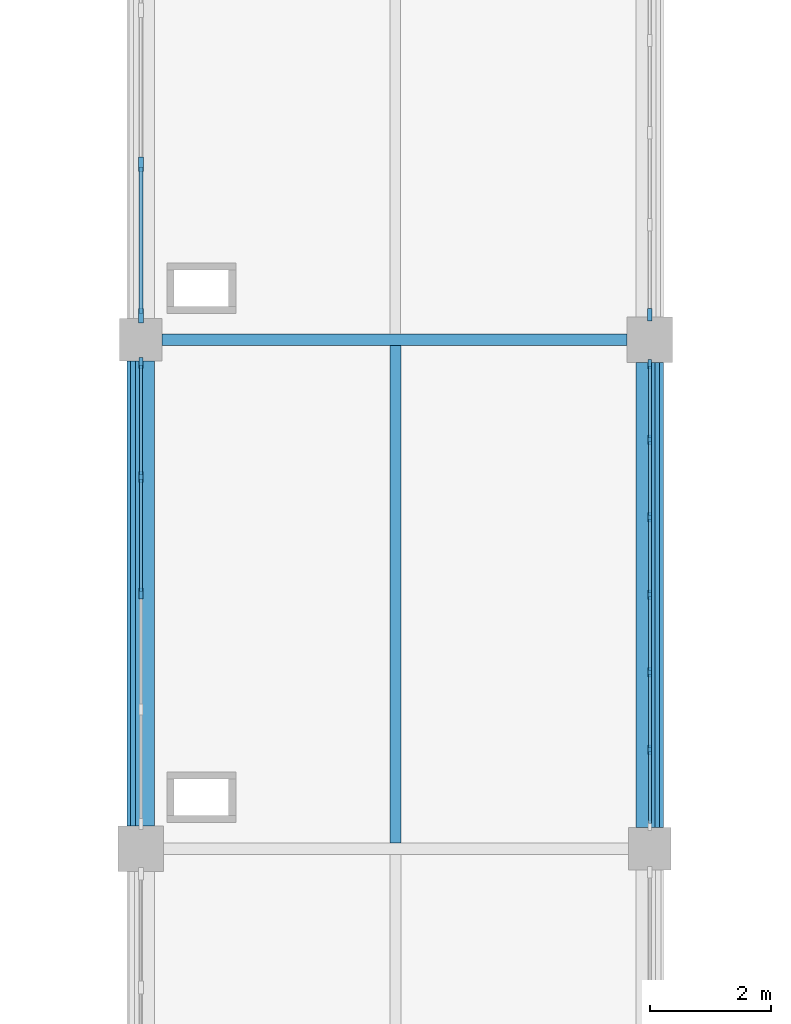
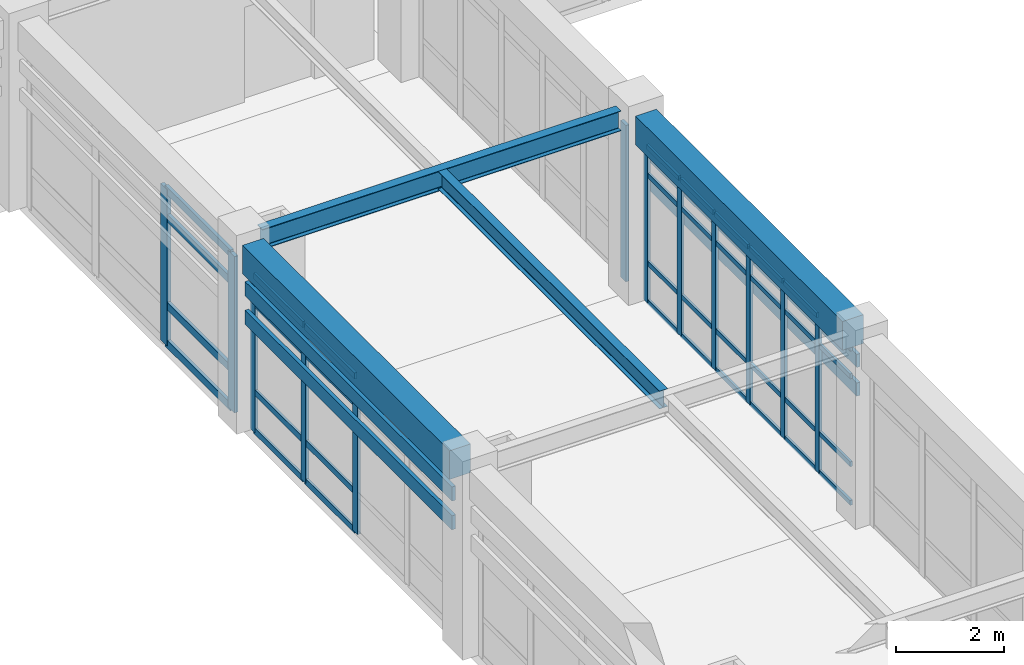
# One storey, part 13 of 78: 52 members, 4 beams, 4 elements without a shape of their own.
"""IFC4 building model written with IfcOpenShell, lengths in metres."""

from ifc_helpers import new_model, si_unit, direction, frame, origin, origin_2d, place, context, subcontext, project, spatial, rectangle, i_section, extrude, material, layer, layer_set, material_profile, profile_set, type_object, element, aggregate, save


model = new_model("IFC4")

# Units and contexts
model_context = context("Model", 3, precision=1e-05, world=origin(), true_north=direction((0.0, 1.0)))
body_context = subcontext(model_context, "Body", "Model", "MODEL_VIEW")
ifc_project = project(units=[si_unit("LENGTHUNIT", "METRE"), si_unit("AREAUNIT", "SQUARE_METRE"), si_unit("VOLUMEUNIT", "CUBIC_METRE"), si_unit("PLANEANGLEUNIT", "RADIAN"), si_unit("MASSUNIT", "GRAM", prefix="KILO")], contexts=[model_context])

# Site, building, storey
site_placement = place(None, origin())
site = spatial("IfcSite", under=ifc_project, at=site_placement, CompositionType="ELEMENT")
building_placement = place(site_placement, origin())
building = spatial("IfcBuilding", under=site, at=building_placement, Name="Porcellanite Civic Hall", CompositionType="ELEMENT")
storey_placement = place(building_placement, frame((0.0, 0.0, 10.260009765625)))
storey = spatial("IfcBuildingStorey", under=building, at=storey_placement, Name="L02", CompositionType="ELEMENT", Elevation=10.260009765625)

# Beams
ifc_material_1 = material(Name="Concrete N50 (50 MPa)", Category="concrete")
ifc_material_profile_1 = material_profile(ifc_material_1, rectangle(XDim=0.449951171875, YDim=0.64990234375, at=origin_2d()), Name="RC-450x650")
ifc_profile_set_1 = profile_set([ifc_material_profile_1], Name="Concrete N50 (50 MPa)")
beam_type_1 = type_object("IfcBeamType", Name="BM-RC650", PredefinedType="SPANDREL", material=ifc_profile_set_1)
beam_1_placement = place(storey_placement, frame((50.39990234375, 84.37451171875, 3.9150390625), z_axis=(0.0, 1.0, 0.0), x_axis=(-1.0, 0.0, 0.0)))
element("IfcBeam", 1, at=beam_1_placement, inside=storey, type_object=beam_type_1, Name="Beam Y L02 7-11", PredefinedType="SPANDREL", context=body_context, shape_type="SweptSolid", body=[
    extrude(rectangle(XDim=0.449951171875, YDim=0.64990234375, at=origin_2d()), origin(), (0.0, 0.0, 1.0), 7.676025390625),
])
beam_2_placement = place(storey_placement, frame((58.800048828125, 84.349609375, 3.9150390625), z_axis=(0.0, 1.0, 0.0), x_axis=(-1.0, 0.0, 0.0)))
element("IfcBeam", 2, at=beam_2_placement, inside=storey, type_object=beam_type_1, Name="Beam Y L02 8-11", PredefinedType="SPANDREL", context=body_context, shape_type="SweptSolid", body=[
    extrude(rectangle(XDim=0.449951171875, YDim=0.64990234375, at=origin_2d()), origin(), (0.0, 0.0, 1.0), 7.67578125),
])

# Curtain wall, members
ifc_material_2 = material(Name="Anodised aluminium and solar laminated glass", Category="aluminium")
ifc_layer_1 = layer(ifc_material_2, 0.179931640625)
ifc_layer_set_1 = layer_set([ifc_layer_1], Name="Anodised aluminium and solar laminated glass")
curtain_wall_type_1 = type_object("IfcCurtainWallType", Name="CW-SYS08", PredefinedType="NOTDEFINED", material=ifc_layer_set_1)
curtain_wall_1_placement = place(storey_placement, origin())
curtain_wall_1 = element("IfcCurtainWall", 3, at=curtain_wall_1_placement, inside=storey, type_object=curtain_wall_type_1, Name="Curtain wall CW-148", PredefinedType="NOTDEFINED")
ifc_material_3 = material(Name="Anodised aluminium 6063-T6", Category="aluminium")
ifc_material_profile_2 = material_profile(ifc_material_3, rectangle(XDim=0.080078125, YDim=0.239990234375, at=origin_2d()), Name="AL-80x240")
ifc_profile_set_2 = profile_set([ifc_material_profile_2], Name="Anodised aluminium 6063-T6")
member_type_1 = type_object("IfcMemberType", Name="CWM-01", PredefinedType="MULLION", material=ifc_profile_set_2)
member_1_placement = place(storey_placement, frame((50.39990234375, 92.791015625, 0.0), z_axis=(0.0, 0.0, 1.0), x_axis=(-1.0, 0.0, 0.0)))
member_1 = element("IfcMember", 4, at=member_1_placement, type_object=member_type_1, Name="CW-148 mullion 1", PredefinedType="MULLION", context=body_context, shape_type="SweptSolid", body=[
    extrude(rectangle(XDim=0.080078125, YDim=0.239990234375, at=origin_2d()), origin(), (0.0, 0.0, 1.0), 3.5400390625),
])
member_2_placement = place(storey_placement, frame((50.39990234375, 95.2919921875, 0.0), z_axis=(0.0, 0.0, 1.0), x_axis=(-1.0, 0.0, 0.0)))
member_2 = element("IfcMember", 5, at=member_2_placement, type_object=member_type_1, Name="CW-148 mullion 2", PredefinedType="MULLION", context=body_context, shape_type="SweptSolid", body=[
    extrude(rectangle(XDim=0.080078125, YDim=0.239990234375, at=origin_2d()), origin(), (0.0, 0.0, 1.0), 3.5400390625),
])

# Curtain wall, member
ifc_material_4 = material(Name="Anodised aluminium and solar laminated glass", Category="aluminium")
ifc_layer_2 = layer(ifc_material_4, 0.179931640625)
ifc_layer_set_2 = layer_set([ifc_layer_2], Name="Anodised aluminium and solar laminated glass")
curtain_wall_type_2 = type_object("IfcCurtainWallType", Name="CW-SYS01", PredefinedType="NOTDEFINED", material=ifc_layer_set_2)
curtain_wall_2_placement = place(storey_placement, origin())
curtain_wall_2 = element("IfcCurtainWall", 6, at=curtain_wall_2_placement, inside=storey, type_object=curtain_wall_type_2, Name="Curtain wall CW-149", PredefinedType="NOTDEFINED")
ifc_material_5 = material(Name="Anodised aluminium 6063-T6", Category="aluminium")
ifc_material_profile_3 = material_profile(ifc_material_5, rectangle(XDim=0.070068359375, YDim=0.199951171875, at=origin_2d()), Name="AL-70x200")
ifc_profile_set_3 = profile_set([ifc_material_profile_3], Name="Anodised aluminium 6063-T6")
member_type_2 = type_object("IfcMemberType", Name="CWM-05", PredefinedType="MULLION", material=ifc_profile_set_3)
member_3_placement = place(storey_placement, frame((58.800048828125, 92.81103515625, 0.0), z_axis=(0.0, 0.0, 1.0), x_axis=(1.0, 0.0, 0.0)))
member_3 = element("IfcMember", 7, at=member_3_placement, type_object=member_type_2, Name="CW-149 mullion 6", PredefinedType="MULLION", context=body_context, shape_type="SweptSolid", body=[
    extrude(rectangle(XDim=0.070068359375, YDim=0.199951171875, at=origin_2d()), origin(), (0.0, 0.0, 1.0), 3.5400390625),
])
aggregate(curtain_wall_2, [member_3])

# Curtain wall, members
ifc_material_6 = material(Name="Anodised aluminium and solar laminated glass", Category="aluminium")
ifc_layer_3 = layer(ifc_material_6, 0.179931640625)
ifc_layer_set_3 = layer_set([ifc_layer_3], Name="Anodised aluminium and solar laminated glass")
curtain_wall_type_3 = type_object("IfcCurtainWallType", Name="CW-SYS06", PredefinedType="NOTDEFINED", material=ifc_layer_set_3)
curtain_wall_3_placement = place(storey_placement, origin())
curtain_wall_3 = element("IfcCurtainWall", 8, at=curtain_wall_3_placement, inside=storey, type_object=curtain_wall_type_3, Name="Curtain wall CW-146", PredefinedType="NOTDEFINED")
ifc_material_7 = material(Name="Anodised aluminium 6063-T6", Category="aluminium")
ifc_material_profile_4 = material_profile(ifc_material_7, rectangle(XDim=0.06494140625, YDim=0.179931640625, at=origin_2d()), Name="AL-65x180")
ifc_profile_set_4 = profile_set([ifc_material_profile_4], Name="Anodised aluminium 6063-T6")
member_type_3 = type_object("IfcMemberType", Name="CWM-06", PredefinedType="MULLION", material=ifc_profile_set_4)
member_4_placement = place(storey_placement, frame((50.39990234375, 88.21240234375, 0.0), z_axis=(0.0, 0.0, 1.0), x_axis=(-1.0, 0.0, 0.0)))
member_4 = element("IfcMember", 9, at=member_4_placement, type_object=member_type_3, Name="CW-146 mullion 3", PredefinedType="MULLION", context=body_context, shape_type="SweptSolid", body=[
    extrude(rectangle(XDim=0.06494140625, YDim=0.179931640625, at=origin_2d()), origin(), (0.0, 0.0, 1.0), 3.5400390625),
])
member_5_placement = place(storey_placement, frame((50.39990234375, 90.130859375, 0.0), z_axis=(0.0, 0.0, 1.0), x_axis=(-1.0, 0.0, 0.0)))
member_5 = element("IfcMember", 10, at=member_5_placement, type_object=member_type_3, Name="CW-146 mullion 4", PredefinedType="MULLION", context=body_context, shape_type="SweptSolid", body=[
    extrude(rectangle(XDim=0.06494140625, YDim=0.179931640625, at=origin_2d()), origin(), (0.0, 0.0, 1.0), 3.5400390625),
])
member_6_placement = place(storey_placement, frame((50.39990234375, 92.0166015625, 0.0), z_axis=(0.0, 0.0, 1.0), x_axis=(-1.0, 0.0, 0.0)))
member_6 = element("IfcMember", 11, at=member_6_placement, type_object=member_type_3, Name="CW-146 mullion 5", PredefinedType="MULLION", context=body_context, shape_type="SweptSolid", body=[
    extrude(rectangle(XDim=0.06494140625, YDim=0.179931640625, at=origin_2d()), origin(), (0.0, 0.0, 1.0), 3.5400390625),
])

ifc_material_8 = material(Name="Anodised aluminium and solar laminated glass", Category="aluminium")
ifc_layer_4 = layer(ifc_material_8, 0.179931640625)
ifc_layer_set_4 = layer_set([ifc_layer_4], Name="Anodised aluminium and solar laminated glass")
curtain_wall_type_4 = type_object("IfcCurtainWallType", Name="CW-SYS07", PredefinedType="NOTDEFINED", material=ifc_layer_set_4)
curtain_wall_4_placement = place(storey_placement, origin())
curtain_wall_4 = element("IfcCurtainWall", 12, at=curtain_wall_4_placement, inside=storey, type_object=curtain_wall_type_4, Name="Curtain wall CW-147", PredefinedType="NOTDEFINED")
ifc_material_9 = material(Name="Anodised aluminium 6063-T6", Category="aluminium")
ifc_material_profile_5 = material_profile(ifc_material_9, rectangle(XDim=0.06005859375, YDim=0.159912109375, at=origin_2d()), Name="AL-60x160")
ifc_profile_set_5 = profile_set([ifc_material_profile_5], Name="Anodised aluminium 6063-T6")
member_type_4 = type_object("IfcMemberType", Name="CWM-07", PredefinedType="MULLION", material=ifc_profile_set_5)
member_7_placement = place(storey_placement, frame((58.800048828125, 91.993896484375, 0.0), z_axis=(0.0, 0.0, 1.0), x_axis=(1.0, 0.0, 0.0)))
member_7 = element("IfcMember", 13, at=member_7_placement, type_object=member_type_4, Name="CW-147 mullion 1", PredefinedType="MULLION", context=body_context, shape_type="SweptSolid", body=[
    extrude(rectangle(XDim=0.06005859375, YDim=0.159912109375, at=origin_2d()), origin(), (0.0, 0.0, 1.0), 3.5400390625),
])
member_8_placement = place(storey_placement, frame((58.800048828125, 90.7451171875, 0.0), z_axis=(0.0, 0.0, 1.0), x_axis=(1.0, 0.0, 0.0)))
member_8 = element("IfcMember", 14, at=member_8_placement, type_object=member_type_4, Name="CW-147 mullion 2", PredefinedType="MULLION", context=body_context, shape_type="SweptSolid", body=[
    extrude(rectangle(XDim=0.06005859375, YDim=0.159912109375, at=origin_2d()), origin(), (0.0, 0.0, 1.0), 3.5400390625),
])
member_9_placement = place(storey_placement, frame((58.800048828125, 89.46630859375, 0.0), z_axis=(0.0, 0.0, 1.0), x_axis=(1.0, 0.0, 0.0)))
member_9 = element("IfcMember", 15, at=member_9_placement, type_object=member_type_4, Name="CW-147 mullion 3", PredefinedType="MULLION", context=body_context, shape_type="SweptSolid", body=[
    extrude(rectangle(XDim=0.06005859375, YDim=0.159912109375, at=origin_2d()), origin(), (0.0, 0.0, 1.0), 3.5400390625),
])
member_10_placement = place(storey_placement, frame((58.800048828125, 88.1875, 0.0), z_axis=(0.0, 0.0, 1.0), x_axis=(1.0, 0.0, 0.0)))
member_10 = element("IfcMember", 16, at=member_10_placement, type_object=member_type_4, Name="CW-147 mullion 4", PredefinedType="MULLION", context=body_context, shape_type="SweptSolid", body=[
    extrude(rectangle(XDim=0.06005859375, YDim=0.159912109375, at=origin_2d()), origin(), (0.0, 0.0, 1.0), 3.5400390625),
])
member_11_placement = place(storey_placement, frame((58.800048828125, 86.90869140625, 0.0), z_axis=(0.0, 0.0, 1.0), x_axis=(1.0, 0.0, 0.0)))
member_11 = element("IfcMember", 17, at=member_11_placement, type_object=member_type_4, Name="CW-147 mullion 5", PredefinedType="MULLION", context=body_context, shape_type="SweptSolid", body=[
    extrude(rectangle(XDim=0.06005859375, YDim=0.159912109375, at=origin_2d()), origin(), (0.0, 0.0, 1.0), 3.5400390625),
])
member_12_placement = place(storey_placement, frame((58.800048828125, 85.6298828125, 0.0), z_axis=(0.0, 0.0, 1.0), x_axis=(1.0, 0.0, 0.0)))
member_12 = element("IfcMember", 18, at=member_12_placement, type_object=member_type_4, Name="CW-147 mullion 6", PredefinedType="MULLION", context=body_context, shape_type="SweptSolid", body=[
    extrude(rectangle(XDim=0.06005859375, YDim=0.159912109375, at=origin_2d()), origin(), (0.0, 0.0, 1.0), 3.5400390625),
])

# Member
ifc_material_10 = material(Name="Anodised aluminium 6063-T6", Category="aluminium")
ifc_material_profile_6 = material_profile(ifc_material_10, rectangle(XDim=0.070068359375, YDim=0.175048828125, at=origin_2d()), Name="AL-70x175")
ifc_profile_set_6 = profile_set([ifc_material_profile_6], Name="Anodised aluminium 6063-T6")
member_type_5 = type_object("IfcMemberType", Name="CWT-01", PredefinedType="USERDEFINED", material=ifc_profile_set_6)
member_13_placement = place(storey_placement, frame((50.39990234375, 92.8310546875, 0.034912109375), z_axis=(0.0, 1.0, 0.0), x_axis=(-1.0, 0.0, 0.0)))
member_13 = element("IfcMember", 19, at=member_13_placement, type_object=member_type_5, Name="CW-148 transom 1.1", ObjectType="TRANSOM", PredefinedType="USERDEFINED", context=body_context, shape_type="SweptSolid", body=[
    extrude(rectangle(XDim=0.070068359375, YDim=0.175048828125, at=origin_2d()), origin(), (0.0, 0.0, 1.0), 2.4208984375),
])

member_14_placement = place(storey_placement, frame((50.39990234375, 92.8310546875, 0.89990234375), z_axis=(0.0, 1.0, 0.0), x_axis=(-1.0, 0.0, 0.0)))
member_14 = element("IfcMember", 20, at=member_14_placement, type_object=member_type_5, Name="CW-148 transom 1.2", ObjectType="TRANSOM", PredefinedType="USERDEFINED", context=body_context, shape_type="SweptSolid", body=[
    extrude(rectangle(XDim=0.070068359375, YDim=0.175048828125, at=origin_2d()), origin(), (0.0, 0.0, 1.0), 2.4208984375),
])

member_15_placement = place(storey_placement, frame((50.39990234375, 92.8310546875, 2.889892578125), z_axis=(0.0, 1.0, 0.0), x_axis=(-1.0, 0.0, 0.0)))
member_15 = element("IfcMember", 21, at=member_15_placement, type_object=member_type_5, Name="CW-148 transom 1.3", ObjectType="TRANSOM", PredefinedType="USERDEFINED", context=body_context, shape_type="SweptSolid", body=[
    extrude(rectangle(XDim=0.070068359375, YDim=0.175048828125, at=origin_2d()), origin(), (0.0, 0.0, 1.0), 2.4208984375),
])

member_16_placement = place(storey_placement, frame((50.39990234375, 92.8310546875, 3.5048828125), z_axis=(0.0, 1.0, 0.0), x_axis=(-1.0, 0.0, 0.0)))
member_16 = element("IfcMember", 22, at=member_16_placement, type_object=member_type_5, Name="CW-148 transom 1.4", ObjectType="TRANSOM", PredefinedType="USERDEFINED", context=body_context, shape_type="SweptSolid", body=[
    extrude(rectangle(XDim=0.070068359375, YDim=0.175048828125, at=origin_2d()), origin(), (0.0, 0.0, 1.0), 2.4208984375),
])

aggregate(curtain_wall_1, [member_1, member_2, member_13, member_14, member_15, member_16])

ifc_material_11 = material(Name="Anodised aluminium 6063-T6", Category="aluminium")
ifc_material_profile_7 = material_profile(ifc_material_11, rectangle(XDim=0.050048828125, YDim=0.139892578125, at=origin_2d()), Name="AL-50x140")
ifc_profile_set_7 = profile_set([ifc_material_profile_7], Name="Anodised aluminium 6063-T6")
member_type_6 = type_object("IfcMemberType", Name="CWT-06", PredefinedType="USERDEFINED", material=ifc_profile_set_7)
member_17_placement = place(storey_placement, frame((50.39990234375, 88.2451171875, 0.02490234375), z_axis=(0.0, 1.0, 0.0), x_axis=(-1.0, 0.0, 0.0)))
member_17 = element("IfcMember", 23, at=member_17_placement, type_object=member_type_6, Name="CW-146 transom 3.1", ObjectType="TRANSOM", PredefinedType="USERDEFINED", context=body_context, shape_type="SweptSolid", body=[
    extrude(rectangle(XDim=0.050048828125, YDim=0.139892578125, at=origin_2d()), origin(), (0.0, 0.0, 1.0), 1.85302734375),
])

member_18_placement = place(storey_placement, frame((50.39990234375, 88.2451171875, 0.89990234375), z_axis=(0.0, 1.0, 0.0), x_axis=(-1.0, 0.0, 0.0)))
member_18 = element("IfcMember", 24, at=member_18_placement, type_object=member_type_6, Name="CW-146 transom 3.2", ObjectType="TRANSOM", PredefinedType="USERDEFINED", context=body_context, shape_type="SweptSolid", body=[
    extrude(rectangle(XDim=0.050048828125, YDim=0.139892578125, at=origin_2d()), origin(), (0.0, 0.0, 1.0), 1.85302734375),
])

member_19_placement = place(storey_placement, frame((50.39990234375, 88.2451171875, 2.889892578125), z_axis=(0.0, 1.0, 0.0), x_axis=(-1.0, 0.0, 0.0)))
member_19 = element("IfcMember", 25, at=member_19_placement, type_object=member_type_6, Name="CW-146 transom 3.3", ObjectType="TRANSOM", PredefinedType="USERDEFINED", context=body_context, shape_type="SweptSolid", body=[
    extrude(rectangle(XDim=0.050048828125, YDim=0.139892578125, at=origin_2d()), origin(), (0.0, 0.0, 1.0), 1.85302734375),
])

member_20_placement = place(storey_placement, frame((50.39990234375, 88.2451171875, 3.514892578125), z_axis=(0.0, 1.0, 0.0), x_axis=(-1.0, 0.0, 0.0)))
member_20 = element("IfcMember", 26, at=member_20_placement, type_object=member_type_6, Name="CW-146 transom 3.4", ObjectType="TRANSOM", PredefinedType="USERDEFINED", context=body_context, shape_type="SweptSolid", body=[
    extrude(rectangle(XDim=0.050048828125, YDim=0.139892578125, at=origin_2d()), origin(), (0.0, 0.0, 1.0), 1.85302734375),
])

member_21_placement = place(storey_placement, frame((50.39990234375, 90.163330078125, 0.02490234375), z_axis=(0.0, 1.0, 0.0), x_axis=(-1.0, 0.0, 0.0)))
member_21 = element("IfcMember", 27, at=member_21_placement, type_object=member_type_6, Name="CW-146 transom 4.1", ObjectType="TRANSOM", PredefinedType="USERDEFINED", context=body_context, shape_type="SweptSolid", body=[
    extrude(rectangle(XDim=0.050048828125, YDim=0.139892578125, at=origin_2d()), origin(), (0.0, 0.0, 1.0), 1.820556640625),
])

member_22_placement = place(storey_placement, frame((50.39990234375, 90.163330078125, 0.89990234375), z_axis=(0.0, 1.0, 0.0), x_axis=(-1.0, 0.0, 0.0)))
member_22 = element("IfcMember", 28, at=member_22_placement, type_object=member_type_6, Name="CW-146 transom 4.2", ObjectType="TRANSOM", PredefinedType="USERDEFINED", context=body_context, shape_type="SweptSolid", body=[
    extrude(rectangle(XDim=0.050048828125, YDim=0.139892578125, at=origin_2d()), origin(), (0.0, 0.0, 1.0), 1.820556640625),
])

member_23_placement = place(storey_placement, frame((50.39990234375, 90.163330078125, 2.889892578125), z_axis=(0.0, 1.0, 0.0), x_axis=(-1.0, 0.0, 0.0)))
member_23 = element("IfcMember", 29, at=member_23_placement, type_object=member_type_6, Name="CW-146 transom 4.3", ObjectType="TRANSOM", PredefinedType="USERDEFINED", context=body_context, shape_type="SweptSolid", body=[
    extrude(rectangle(XDim=0.050048828125, YDim=0.139892578125, at=origin_2d()), origin(), (0.0, 0.0, 1.0), 1.820556640625),
])

member_24_placement = place(storey_placement, frame((50.39990234375, 90.163330078125, 3.514892578125), z_axis=(0.0, 1.0, 0.0), x_axis=(-1.0, 0.0, 0.0)))
member_24 = element("IfcMember", 30, at=member_24_placement, type_object=member_type_6, Name="CW-146 transom 4.4", ObjectType="TRANSOM", PredefinedType="USERDEFINED", context=body_context, shape_type="SweptSolid", body=[
    extrude(rectangle(XDim=0.050048828125, YDim=0.139892578125, at=origin_2d()), origin(), (0.0, 0.0, 1.0), 1.820556640625),
])

aggregate(curtain_wall_3, [member_4, member_5, member_6, member_17, member_18, member_19, member_20, member_21, member_22, member_23, member_24])

ifc_material_12 = material(Name="Anodised aluminium 6063-T6", Category="aluminium")
ifc_material_profile_8 = material_profile(ifc_material_12, rectangle(XDim=0.050048828125, YDim=0.110107421875, at=origin_2d()), Name="AL-50x110")
ifc_profile_set_8 = profile_set([ifc_material_profile_8], Name="Anodised aluminium 6063-T6")
member_type_7 = type_object("IfcMemberType", Name="CWT-07", PredefinedType="USERDEFINED", material=ifc_profile_set_8)
member_25_placement = place(storey_placement, frame((58.800048828125, 91.964111328125, 0.02490234375), z_axis=(0.0, -1.0, 0.0), x_axis=(1.0, 0.0, 0.0)))
member_25 = element("IfcMember", 31, at=member_25_placement, type_object=member_type_7, Name="CW-147 transom 1.1", ObjectType="TRANSOM", PredefinedType="USERDEFINED", context=body_context, shape_type="SweptSolid", body=[
    extrude(rectangle(XDim=0.050048828125, YDim=0.110107421875, at=origin_2d()), origin(), (0.0, 0.0, 1.0), 1.18896484375),
])

member_26_placement = place(storey_placement, frame((58.800048828125, 91.964111328125, 0.89990234375), z_axis=(0.0, -1.0, 0.0), x_axis=(1.0, 0.0, 0.0)))
member_26 = element("IfcMember", 32, at=member_26_placement, type_object=member_type_7, Name="CW-147 transom 1.2", ObjectType="TRANSOM", PredefinedType="USERDEFINED", context=body_context, shape_type="SweptSolid", body=[
    extrude(rectangle(XDim=0.050048828125, YDim=0.110107421875, at=origin_2d()), origin(), (0.0, 0.0, 1.0), 1.18896484375),
])

member_27_placement = place(storey_placement, frame((58.800048828125, 91.964111328125, 2.889892578125), z_axis=(0.0, -1.0, 0.0), x_axis=(1.0, 0.0, 0.0)))
member_27 = element("IfcMember", 33, at=member_27_placement, type_object=member_type_7, Name="CW-147 transom 1.3", ObjectType="TRANSOM", PredefinedType="USERDEFINED", context=body_context, shape_type="SweptSolid", body=[
    extrude(rectangle(XDim=0.050048828125, YDim=0.110107421875, at=origin_2d()), origin(), (0.0, 0.0, 1.0), 1.18896484375),
])

member_28_placement = place(storey_placement, frame((58.800048828125, 91.964111328125, 3.514892578125), z_axis=(0.0, -1.0, 0.0), x_axis=(1.0, 0.0, 0.0)))
member_28 = element("IfcMember", 34, at=member_28_placement, type_object=member_type_7, Name="CW-147 transom 1.4", ObjectType="TRANSOM", PredefinedType="USERDEFINED", context=body_context, shape_type="SweptSolid", body=[
    extrude(rectangle(XDim=0.050048828125, YDim=0.110107421875, at=origin_2d()), origin(), (0.0, 0.0, 1.0), 1.18896484375),
])

member_29_placement = place(storey_placement, frame((58.800048828125, 90.715087890625, 0.02490234375), z_axis=(0.0, -1.0, 0.0), x_axis=(1.0, 0.0, 0.0)))
member_29 = element("IfcMember", 35, at=member_29_placement, type_object=member_type_7, Name="CW-147 transom 2.1", ObjectType="TRANSOM", PredefinedType="USERDEFINED", context=body_context, shape_type="SweptSolid", body=[
    extrude(rectangle(XDim=0.050048828125, YDim=0.110107421875, at=origin_2d()), origin(), (0.0, 0.0, 1.0), 1.21875),
])

member_30_placement = place(storey_placement, frame((58.800048828125, 90.715087890625, 0.89990234375), z_axis=(0.0, -1.0, 0.0), x_axis=(1.0, 0.0, 0.0)))
member_30 = element("IfcMember", 36, at=member_30_placement, type_object=member_type_7, Name="CW-147 transom 2.2", ObjectType="TRANSOM", PredefinedType="USERDEFINED", context=body_context, shape_type="SweptSolid", body=[
    extrude(rectangle(XDim=0.050048828125, YDim=0.110107421875, at=origin_2d()), origin(), (0.0, 0.0, 1.0), 1.21875),
])

member_31_placement = place(storey_placement, frame((58.800048828125, 90.715087890625, 2.889892578125), z_axis=(0.0, -1.0, 0.0), x_axis=(1.0, 0.0, 0.0)))
member_31 = element("IfcMember", 37, at=member_31_placement, type_object=member_type_7, Name="CW-147 transom 2.3", ObjectType="TRANSOM", PredefinedType="USERDEFINED", context=body_context, shape_type="SweptSolid", body=[
    extrude(rectangle(XDim=0.050048828125, YDim=0.110107421875, at=origin_2d()), origin(), (0.0, 0.0, 1.0), 1.21875),
])

member_32_placement = place(storey_placement, frame((58.800048828125, 90.715087890625, 3.514892578125), z_axis=(0.0, -1.0, 0.0), x_axis=(1.0, 0.0, 0.0)))
member_32 = element("IfcMember", 38, at=member_32_placement, type_object=member_type_7, Name="CW-147 transom 2.4", ObjectType="TRANSOM", PredefinedType="USERDEFINED", context=body_context, shape_type="SweptSolid", body=[
    extrude(rectangle(XDim=0.050048828125, YDim=0.110107421875, at=origin_2d()), origin(), (0.0, 0.0, 1.0), 1.21875),
])

member_33_placement = place(storey_placement, frame((58.800048828125, 89.436279296875, 0.02490234375), z_axis=(0.0, -1.0, 0.0), x_axis=(1.0, 0.0, 0.0)))
member_33 = element("IfcMember", 39, at=member_33_placement, type_object=member_type_7, Name="CW-147 transom 3.1", ObjectType="TRANSOM", PredefinedType="USERDEFINED", context=body_context, shape_type="SweptSolid", body=[
    extrude(rectangle(XDim=0.050048828125, YDim=0.110107421875, at=origin_2d()), origin(), (0.0, 0.0, 1.0), 1.21875),
])

member_34_placement = place(storey_placement, frame((58.800048828125, 89.436279296875, 0.89990234375), z_axis=(0.0, -1.0, 0.0), x_axis=(1.0, 0.0, 0.0)))
member_34 = element("IfcMember", 40, at=member_34_placement, type_object=member_type_7, Name="CW-147 transom 3.2", ObjectType="TRANSOM", PredefinedType="USERDEFINED", context=body_context, shape_type="SweptSolid", body=[
    extrude(rectangle(XDim=0.050048828125, YDim=0.110107421875, at=origin_2d()), origin(), (0.0, 0.0, 1.0), 1.21875),
])

member_35_placement = place(storey_placement, frame((58.800048828125, 89.436279296875, 2.889892578125), z_axis=(0.0, -1.0, 0.0), x_axis=(1.0, 0.0, 0.0)))
member_35 = element("IfcMember", 41, at=member_35_placement, type_object=member_type_7, Name="CW-147 transom 3.3", ObjectType="TRANSOM", PredefinedType="USERDEFINED", context=body_context, shape_type="SweptSolid", body=[
    extrude(rectangle(XDim=0.050048828125, YDim=0.110107421875, at=origin_2d()), origin(), (0.0, 0.0, 1.0), 1.21875),
])

member_36_placement = place(storey_placement, frame((58.800048828125, 89.436279296875, 3.514892578125), z_axis=(0.0, -1.0, 0.0), x_axis=(1.0, 0.0, 0.0)))
member_36 = element("IfcMember", 42, at=member_36_placement, type_object=member_type_7, Name="CW-147 transom 3.4", ObjectType="TRANSOM", PredefinedType="USERDEFINED", context=body_context, shape_type="SweptSolid", body=[
    extrude(rectangle(XDim=0.050048828125, YDim=0.110107421875, at=origin_2d()), origin(), (0.0, 0.0, 1.0), 1.21875),
])

member_37_placement = place(storey_placement, frame((58.800048828125, 88.157470703125, 0.02490234375), z_axis=(0.0, -1.0, 0.0), x_axis=(1.0, 0.0, 0.0)))
member_37 = element("IfcMember", 43, at=member_37_placement, type_object=member_type_7, Name="CW-147 transom 4.1", ObjectType="TRANSOM", PredefinedType="USERDEFINED", context=body_context, shape_type="SweptSolid", body=[
    extrude(rectangle(XDim=0.050048828125, YDim=0.110107421875, at=origin_2d()), origin(), (0.0, 0.0, 1.0), 1.21875),
])

member_38_placement = place(storey_placement, frame((58.800048828125, 88.157470703125, 0.89990234375), z_axis=(0.0, -1.0, 0.0), x_axis=(1.0, 0.0, 0.0)))
member_38 = element("IfcMember", 44, at=member_38_placement, type_object=member_type_7, Name="CW-147 transom 4.2", ObjectType="TRANSOM", PredefinedType="USERDEFINED", context=body_context, shape_type="SweptSolid", body=[
    extrude(rectangle(XDim=0.050048828125, YDim=0.110107421875, at=origin_2d()), origin(), (0.0, 0.0, 1.0), 1.21875),
])

member_39_placement = place(storey_placement, frame((58.800048828125, 88.157470703125, 2.889892578125), z_axis=(0.0, -1.0, 0.0), x_axis=(1.0, 0.0, 0.0)))
member_39 = element("IfcMember", 45, at=member_39_placement, type_object=member_type_7, Name="CW-147 transom 4.3", ObjectType="TRANSOM", PredefinedType="USERDEFINED", context=body_context, shape_type="SweptSolid", body=[
    extrude(rectangle(XDim=0.050048828125, YDim=0.110107421875, at=origin_2d()), origin(), (0.0, 0.0, 1.0), 1.21875),
])

member_40_placement = place(storey_placement, frame((58.800048828125, 88.157470703125, 3.514892578125), z_axis=(0.0, -1.0, 0.0), x_axis=(1.0, 0.0, 0.0)))
member_40 = element("IfcMember", 46, at=member_40_placement, type_object=member_type_7, Name="CW-147 transom 4.4", ObjectType="TRANSOM", PredefinedType="USERDEFINED", context=body_context, shape_type="SweptSolid", body=[
    extrude(rectangle(XDim=0.050048828125, YDim=0.110107421875, at=origin_2d()), origin(), (0.0, 0.0, 1.0), 1.21875),
])

member_41_placement = place(storey_placement, frame((58.800048828125, 86.878662109375, 0.02490234375), z_axis=(0.0, -1.0, 0.0), x_axis=(1.0, 0.0, 0.0)))
member_41 = element("IfcMember", 47, at=member_41_placement, type_object=member_type_7, Name="CW-147 transom 5.1", ObjectType="TRANSOM", PredefinedType="USERDEFINED", context=body_context, shape_type="SweptSolid", body=[
    extrude(rectangle(XDim=0.050048828125, YDim=0.110107421875, at=origin_2d()), origin(), (0.0, 0.0, 1.0), 1.21875),
])

member_42_placement = place(storey_placement, frame((58.800048828125, 86.878662109375, 0.89990234375), z_axis=(0.0, -1.0, 0.0), x_axis=(1.0, 0.0, 0.0)))
member_42 = element("IfcMember", 48, at=member_42_placement, type_object=member_type_7, Name="CW-147 transom 5.2", ObjectType="TRANSOM", PredefinedType="USERDEFINED", context=body_context, shape_type="SweptSolid", body=[
    extrude(rectangle(XDim=0.050048828125, YDim=0.110107421875, at=origin_2d()), origin(), (0.0, 0.0, 1.0), 1.21875),
])

member_43_placement = place(storey_placement, frame((58.800048828125, 86.878662109375, 2.889892578125), z_axis=(0.0, -1.0, 0.0), x_axis=(1.0, 0.0, 0.0)))
member_43 = element("IfcMember", 49, at=member_43_placement, type_object=member_type_7, Name="CW-147 transom 5.3", ObjectType="TRANSOM", PredefinedType="USERDEFINED", context=body_context, shape_type="SweptSolid", body=[
    extrude(rectangle(XDim=0.050048828125, YDim=0.110107421875, at=origin_2d()), origin(), (0.0, 0.0, 1.0), 1.21875),
])

member_44_placement = place(storey_placement, frame((58.800048828125, 86.878662109375, 3.514892578125), z_axis=(0.0, -1.0, 0.0), x_axis=(1.0, 0.0, 0.0)))
member_44 = element("IfcMember", 50, at=member_44_placement, type_object=member_type_7, Name="CW-147 transom 5.4", ObjectType="TRANSOM", PredefinedType="USERDEFINED", context=body_context, shape_type="SweptSolid", body=[
    extrude(rectangle(XDim=0.050048828125, YDim=0.110107421875, at=origin_2d()), origin(), (0.0, 0.0, 1.0), 1.21875),
])

member_45_placement = place(storey_placement, frame((58.800048828125, 85.599853515625, 0.02490234375), z_axis=(0.0, -1.0, 0.0), x_axis=(1.0, 0.0, 0.0)))
member_45 = element("IfcMember", 51, at=member_45_placement, type_object=member_type_7, Name="CW-147 transom 6.1", ObjectType="TRANSOM", PredefinedType="USERDEFINED", context=body_context, shape_type="SweptSolid", body=[
    extrude(rectangle(XDim=0.050048828125, YDim=0.110107421875, at=origin_2d()), origin(), (0.0, 0.0, 1.0), 1.18896484375),
])

member_46_placement = place(storey_placement, frame((58.800048828125, 85.599853515625, 0.89990234375), z_axis=(0.0, -1.0, 0.0), x_axis=(1.0, 0.0, 0.0)))
member_46 = element("IfcMember", 52, at=member_46_placement, type_object=member_type_7, Name="CW-147 transom 6.2", ObjectType="TRANSOM", PredefinedType="USERDEFINED", context=body_context, shape_type="SweptSolid", body=[
    extrude(rectangle(XDim=0.050048828125, YDim=0.110107421875, at=origin_2d()), origin(), (0.0, 0.0, 1.0), 1.18896484375),
])

member_47_placement = place(storey_placement, frame((58.800048828125, 85.599853515625, 2.889892578125), z_axis=(0.0, -1.0, 0.0), x_axis=(1.0, 0.0, 0.0)))
member_47 = element("IfcMember", 53, at=member_47_placement, type_object=member_type_7, Name="CW-147 transom 6.3", ObjectType="TRANSOM", PredefinedType="USERDEFINED", context=body_context, shape_type="SweptSolid", body=[
    extrude(rectangle(XDim=0.050048828125, YDim=0.110107421875, at=origin_2d()), origin(), (0.0, 0.0, 1.0), 1.18896484375),
])

member_48_placement = place(storey_placement, frame((58.800048828125, 85.599853515625, 3.514892578125), z_axis=(0.0, -1.0, 0.0), x_axis=(1.0, 0.0, 0.0)))
member_48 = element("IfcMember", 54, at=member_48_placement, type_object=member_type_7, Name="CW-147 transom 6.4", ObjectType="TRANSOM", PredefinedType="USERDEFINED", context=body_context, shape_type="SweptSolid", body=[
    extrude(rectangle(XDim=0.050048828125, YDim=0.110107421875, at=origin_2d()), origin(), (0.0, 0.0, 1.0), 1.18896484375),
])

aggregate(curtain_wall_4, [member_7, member_8, member_9, member_10, member_11, member_12, member_25, member_26, member_27, member_28, member_29, member_30, member_31, member_32, member_33, member_34, member_35, member_36, member_37, member_38, member_39, member_40, member_41, member_42, member_43, member_44, member_45, member_46, member_47, member_48])

# Beam
ifc_material_13 = material(Name="Steel Grade 350", Category="steel")
ifc_material_profile_9 = material_profile(ifc_material_13, i_section(OverallWidth=0.177978515625, OverallDepth=0.403076171875, WebThickness=0.007568359375, FlangeThickness=0.010986328125, FilletRadius=0.011474609375, at=origin_2d()), Name="410UB53.7")
ifc_profile_set_9 = profile_set([ifc_material_profile_9], Name="Steel Grade 350")
beam_type_2 = type_object("IfcBeamType", Name="JST-410UB54", PredefinedType="JOIST", material=ifc_profile_set_9)
beam_3_placement = place(storey_placement, frame((54.60009765625, 84.094482421875, 4.03857421875), z_axis=(0.0, 1.0, 0.0), x_axis=(-1.0, 0.0, 0.0)))
element("IfcBeam", 55, at=beam_3_placement, inside=storey, type_object=beam_type_2, Name="Secondary joist L02 7-11", PredefinedType="JOIST", context=body_context, shape_type="SweptSolid", body=[
    extrude(i_section(OverallWidth=0.177978515625, OverallDepth=0.403076171875, WebThickness=0.007568359375, FlangeThickness=0.010986328125, FilletRadius=0.011474609375, at=origin_2d()), origin(), (0.0, 0.0, 1.0), 8.2109375),
])

# Members
ifc_material_14 = material(Name="Fluoropolymer bauxite-red aluminium 6063-T6", Category="aluminium")
ifc_material_profile_10 = material_profile(ifc_material_14, rectangle(XDim=0.080078125, YDim=0.320068359375, at=origin_2d()), Name="AL-80x320")
ifc_profile_set_10 = profile_set([ifc_material_profile_10], Name="Fluoropolymer bauxite-red aluminium 6063-T6")
member_type_8 = type_object("IfcMemberType", Name="LV-BLD03", PredefinedType="USERDEFINED", material=ifc_profile_set_10)
for number, where, z_axis, x_axis, name in (
    (56, (50.26806640625, 84.37451171875, 3.239990234375), (0.0, 1.0, 0.0), (-1.0, 0.0, 0.0), "Cyclone sunshade louvre L02 W 6-10 1"),
    (57, (50.26806640625, 84.37451171875, 2.590087890625), (0.0, 1.0, 0.0), (-1.0, 0.0, 0.0), "Cyclone sunshade louvre L02 W 6-10 2"),
):
    element("IfcMember", number, at=place(storey_placement, frame(where, z_axis=z_axis, x_axis=x_axis)), inside=storey, type_object=member_type_8, Name=name, ObjectType="LOUVRE BLADE", PredefinedType="USERDEFINED", context=body_context, shape_type="SweptSolid", body=[
        extrude(rectangle(XDim=0.080078125, YDim=0.320068359375, at=origin_2d()), origin(), (0.0, 0.0, 1.0), 7.676025390625),
    ])
ifc_material_15 = material(Name="Fluoropolymer bauxite-red aluminium 6063-T6", Category="aluminium")
ifc_material_profile_11 = material_profile(ifc_material_15, rectangle(XDim=0.074951171875, YDim=0.300048828125, at=origin_2d()), Name="AL-75x300")
ifc_profile_set_11 = profile_set([ifc_material_profile_11], Name="Fluoropolymer bauxite-red aluminium 6063-T6")
member_type_9 = type_object("IfcMemberType", Name="LV-BLD04", PredefinedType="USERDEFINED", material=ifc_profile_set_11)
for number, where, z_axis, x_axis, name in (
    (58, (58.91943359375, 92.025390625, 3.239990234375), (0.0, -1.0, 0.0), (1.0, 0.0, 0.0), "Cyclone sunshade louvre L02 E 6-10 1"),
    (59, (58.91943359375, 92.025390625, 2.590087890625), (0.0, -1.0, 0.0), (1.0, 0.0, 0.0), "Cyclone sunshade louvre L02 E 6-10 2"),
):
    element("IfcMember", number, at=place(storey_placement, frame(where, z_axis=z_axis, x_axis=x_axis)), inside=storey, type_object=member_type_9, Name=name, ObjectType="LOUVRE BLADE", PredefinedType="USERDEFINED", context=body_context, shape_type="SweptSolid", body=[
        extrude(rectangle(XDim=0.074951171875, YDim=0.300048828125, at=origin_2d()), origin(), (0.0, 0.0, 1.0), 7.67578125),
    ])

# Beam
ifc_material_16 = material(Name="Steel Grade 350", Category="steel")
ifc_material_profile_12 = material_profile(ifc_material_16, i_section(OverallWidth=0.18994140625, OverallDepth=0.4541015625, WebThickness=0.008544921875, FlangeThickness=0.0126953125, FilletRadius=0.011474609375, at=origin_2d()), Name="460UB67.1")
ifc_profile_set_12 = profile_set([ifc_material_profile_12], Name="Steel Grade 350")
beam_type_3 = type_object("IfcBeamType", Name="RAF-460UB67", PredefinedType="BEAM", material=ifc_profile_set_12)
beam_4_placement = place(storey_placement, frame((50.74951171875, 92.39990234375, 4.012939453125), z_axis=(1.0, 0.0, 0.0), x_axis=(0.0, 1.0, 0.0)))
element("IfcBeam", 60, at=beam_4_placement, inside=storey, type_object=beam_type_3, Name="Beam X L02 7-12", PredefinedType="BEAM", context=body_context, shape_type="SweptSolid", body=[
    extrude(i_section(OverallWidth=0.18994140625, OverallDepth=0.4541015625, WebThickness=0.008544921875, FlangeThickness=0.0126953125, FilletRadius=0.011474609375, at=origin_2d()), origin(), (0.0, 0.0, 1.0), 7.676025390625),
])

save(model, "model.ifc")
